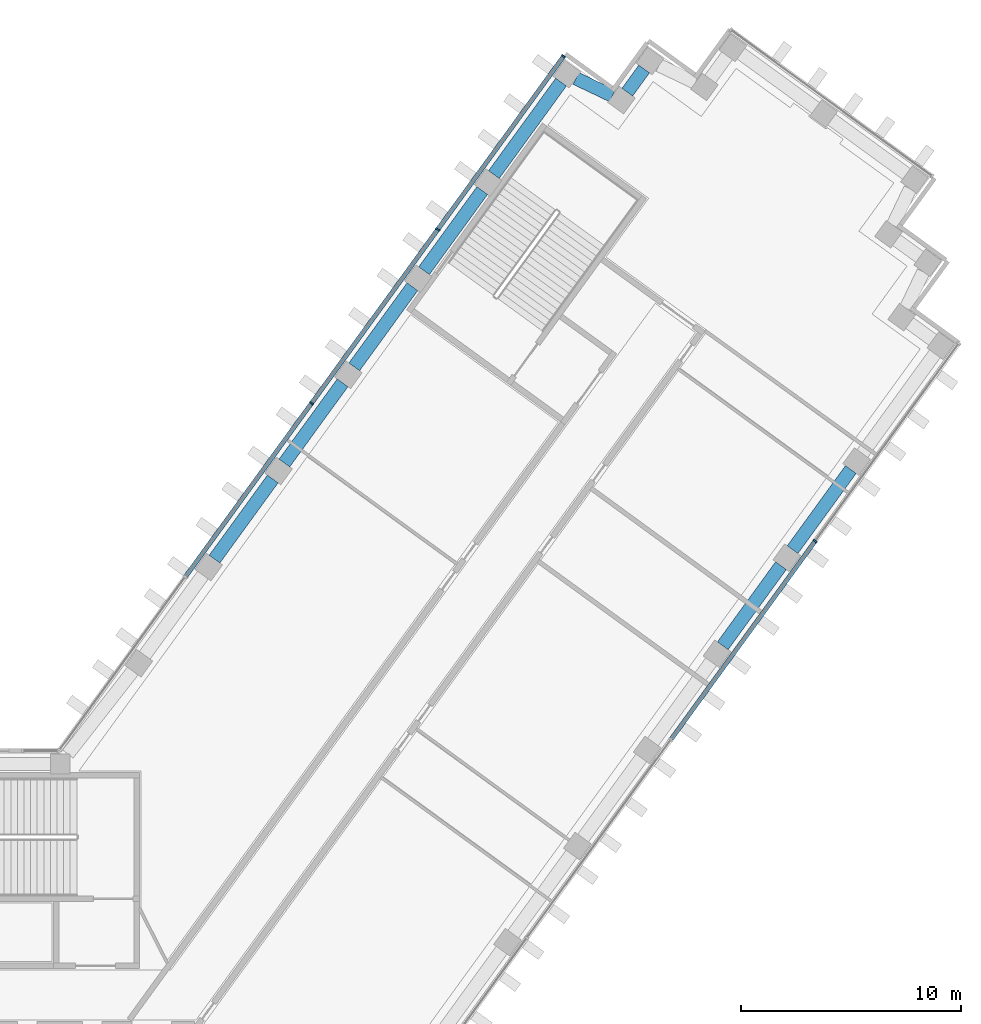
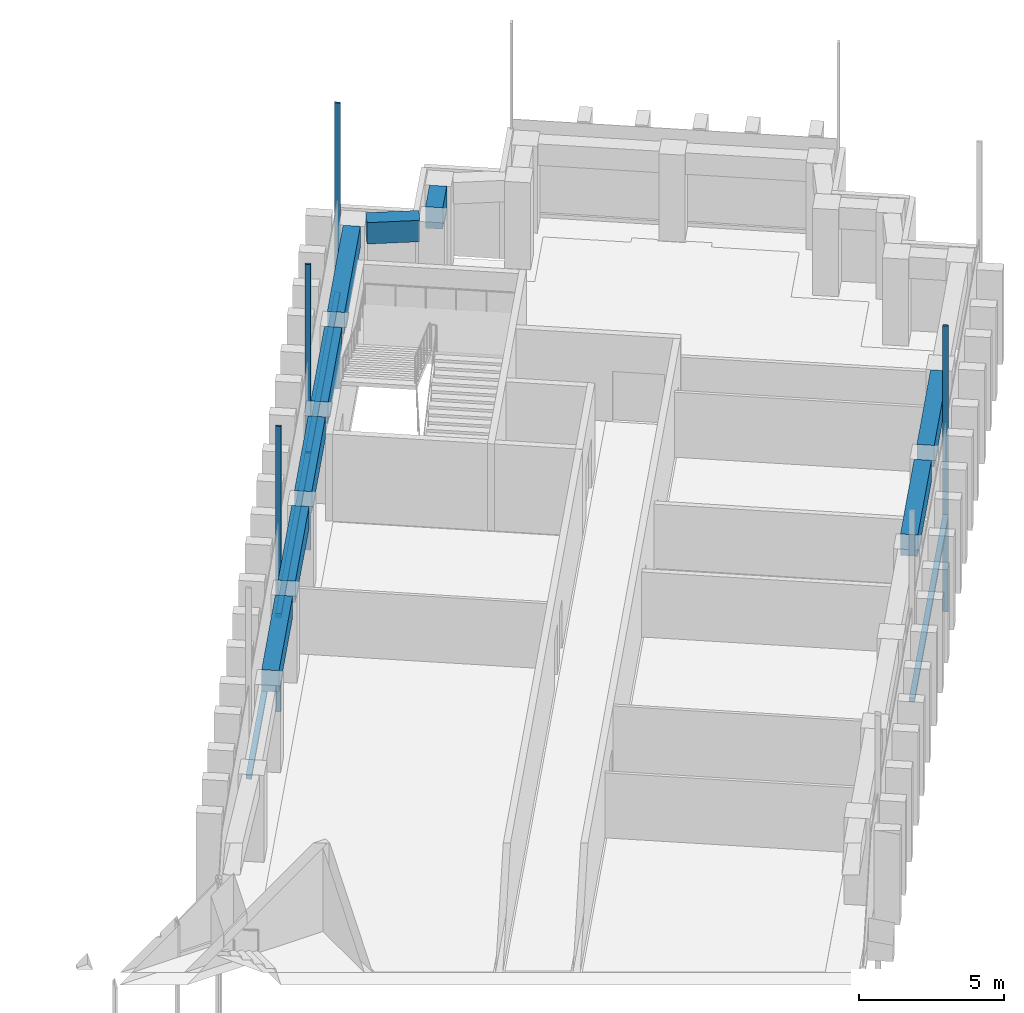
# One storey, part 6 of 19: 9 beams, 8 members, 2 elements without a shape of their own.
"""IFC4 building model written with IfcOpenShell, lengths in metres."""

from ifc_helpers import new_model, si_unit, direction, frame, origin, origin_2d, place, context, subcontext, project, spatial, rectangle, extrude, material, material_profile, profile_set, type_object, element, aggregate, save


model = new_model("IFC4")

# Units and contexts
model_context = context("Model", 3, precision=1e-05, world=origin(), true_north=direction((0.0, 1.0)))
body_context = subcontext(model_context, "Body", "Model", "MODEL_VIEW")
ifc_project = project(units=[si_unit("LENGTHUNIT", "METRE"), si_unit("AREAUNIT", "SQUARE_METRE"), si_unit("VOLUMEUNIT", "CUBIC_METRE"), si_unit("PLANEANGLEUNIT", "RADIAN"), si_unit("MASSUNIT", "GRAM", prefix="KILO")], contexts=[model_context])

# Site, building, storey
site_placement = place(None, origin())
site = spatial("IfcSite", under=ifc_project, at=site_placement, CompositionType="ELEMENT")
building_placement = place(site_placement, origin())
building = spatial("IfcBuilding", under=site, at=building_placement, Name="Quipu Civic Tower", CompositionType="ELEMENT")
storey_placement = place(building_placement, frame((0.0, 0.0, 35.0)))
storey = spatial("IfcBuildingStorey", under=building, at=storey_placement, Name="L07", CompositionType="ELEMENT", Elevation=35.0)

# Curtain wall, member
ifc_material_1 = material(Name="Insulated glass unit", Category="glass")
curtain_wall_type = type_object("IfcCurtainWallType", Name="Office curtain wall CW1", PredefinedType="NOTDEFINED", material=ifc_material_1)
curtain_wall_1_placement = place(storey_placement, origin())
curtain_wall_1 = element("IfcCurtainWall", 1, at=curtain_wall_1_placement, inside=storey, type_object=curtain_wall_type, Name="Office curtain wall CW1 L06 run 16", PredefinedType="NOTDEFINED")
ifc_material_2 = material(Name="Anodised aluminium", Category="aluminium")
ifc_material_profile_1 = material_profile(ifc_material_2, rectangle(XDim=0.199951171875, YDim=0.080078125, at=origin_2d()), Name="RECT 200x80")
ifc_profile_set_1 = profile_set([ifc_material_profile_1], Name="Anodised aluminium")
member_type_1 = type_object("IfcMemberType", Name="Mullion CW1", PredefinedType="MULLION", material=ifc_profile_set_1)
member_1_placement = place(storey_placement, frame((48.70458984375, 20.6240234375, -3.919921875), z_axis=(0.0, 0.0, 1.0), x_axis=(-0.809016770908, 0.587785559869, 0.0)))
member_1 = element("IfcMember", 2, at=member_1_placement, type_object=member_type_1, Name="CW1 mullion 4", PredefinedType="MULLION", context=body_context, shape_type="SweptSolid", body=[
    extrude(rectangle(XDim=0.199951171875, YDim=0.080078125, at=origin_2d()), origin(), (0.0, 0.0, 1.0), 12.0),
])

# Curtain wall, members
curtain_wall_2_placement = place(storey_placement, origin())
curtain_wall_2 = element("IfcCurtainWall", 3, at=curtain_wall_2_placement, inside=storey, type_object=curtain_wall_type, Name="Office curtain wall CW1 L06 run 26", PredefinedType="NOTDEFINED")
member_2_placement = place(storey_placement, frame((37.2705078125, 42.655029296875, -3.919921875), z_axis=(0.0, 0.0, 1.0), x_axis=(0.809016532822, -0.587785887566, 0.0)))
member_2 = element("IfcMember", 4, at=member_2_placement, type_object=member_type_1, Name="CW1 mullion 1", PredefinedType="MULLION", context=body_context, shape_type="SweptSolid", body=[
    extrude(rectangle(XDim=0.199951171875, YDim=0.080078125, at=origin_2d()), origin(), (0.0, 0.0, 1.0), 12.0),
])
member_3_placement = place(storey_placement, frame((31.556396484375, 34.79052734375, -3.919921875), z_axis=(0.0, 0.0, 1.0), x_axis=(0.809016532822, -0.587785887566, 0.0)))
member_3 = element("IfcMember", 5, at=member_3_placement, type_object=member_type_1, Name="CW1 mullion 2", PredefinedType="MULLION", context=body_context, shape_type="SweptSolid", body=[
    extrude(rectangle(XDim=0.199951171875, YDim=0.080078125, at=origin_2d()), origin(), (0.0, 0.0, 1.0), 12.0),
])
member_4_placement = place(storey_placement, frame((25.819091796875, 26.893798828125, -3.919921875), z_axis=(0.0, 0.0, 1.0), x_axis=(0.809016532822, -0.587785887566, 0.0)))
member_4 = element("IfcMember", 6, at=member_4_placement, type_object=member_type_1, Name="CW1 mullion 3", PredefinedType="MULLION", context=body_context, shape_type="SweptSolid", body=[
    extrude(rectangle(XDim=0.199951171875, YDim=0.080078125, at=origin_2d()), origin(), (0.0, 0.0, 1.0), 12.0),
])

# Beams
ifc_material_3 = material(Name="Concrete C50/60", Category="concrete")
ifc_material_profile_2 = material_profile(ifc_material_3, rectangle(XDim=0.60009765625, YDim=0.89990234375, at=origin_2d()), Name="RC600x900")
ifc_profile_set_2 = profile_set([ifc_material_profile_2], Name="Concrete C50/60")
beam_type = type_object("IfcBeamType", Name="Spandrel beam RC 600x900 C50/60", PredefinedType="SPANDREL", material=ifc_profile_set_2)
beam_1_placement = place(storey_placement, frame((44.5087890625, 15.870361328125, 3.199951171875), z_axis=(0.587803872688, 0.809003465539, 0.0), x_axis=(-0.809003465539, 0.587803872688, 0.0)))
element("IfcBeam", 7, at=beam_1_placement, inside=storey, type_object=beam_type, Name="Spandrel beam L07 E-OUT-05 to E-OUT-06", PredefinedType="SPANDREL", context=body_context, shape_type="SweptSolid", body=[
    extrude(rectangle(XDim=0.60009765625, YDim=0.89990234375, at=origin_2d()), origin(), (0.0, 0.0, 1.0), 4.499755859375),
])
beam_2_placement = place(storey_placement, frame((47.682861328125, 20.23876953125, 3.199951171875), z_axis=(0.587778073121, 0.809022210299, 0.0), x_axis=(-0.809022210299, 0.587778073121, 0.0)))
element("IfcBeam", 8, at=beam_2_placement, inside=storey, type_object=beam_type, Name="Spandrel beam L07 E-OUT-06 to E-OUT-07", PredefinedType="SPANDREL", context=body_context, shape_type="SweptSolid", body=[
    extrude(rectangle(XDim=0.60009765625, YDim=0.89990234375, at=origin_2d()), origin(), (0.0, 0.0, 1.0), 4.5),
])
beam_3_placement = place(storey_placement, frame((40.935302734375, 42.0810546875, 3.199951171875), z_axis=(-0.588461937499, -0.808524921146, 0.0), x_axis=(0.808524921146, -0.588461937499, 0.0)))
element("IfcBeam", 9, at=beam_3_placement, inside=storey, type_object=beam_type, Name="Spandrel beam L07 T-Ei.2-E50 to T-Ei.3-E50", PredefinedType="SPANDREL", context=body_context, shape_type="SweptSolid", body=[
    extrude(rectangle(XDim=0.60009765625, YDim=0.89990234375, at=origin_2d()), origin(), (0.0, 0.0, 1.0), 1.30029296875),
])
beam_4_placement = place(storey_placement, frame((39.492431640625, 40.863037109375, 3.199951171875), z_axis=(-0.90245397739, 0.430786279601, 0.0), x_axis=(-0.430786279601, -0.90245397739, 0.0)))
element("IfcBeam", 10, at=beam_4_placement, inside=storey, type_object=beam_type, Name="Spandrel beam L07 T-Ei.3-E50 to T-Ei.4-E50", PredefinedType="SPANDREL", context=body_context, shape_type="SweptSolid", body=[
    extrude(rectangle(XDim=0.60009765625, YDim=0.89990234375, at=origin_2d()), origin(), (0.0, 0.0, 1.0), 1.83349609375),
])
beam_5_placement = place(storey_placement, frame((37.160400390625, 41.48583984375, 3.199951171875), z_axis=(-0.587732861365, -0.80905505602, 0.0), x_axis=(0.80905505602, -0.587732861365, 0.0)))
element("IfcBeam", 11, at=beam_5_placement, inside=storey, type_object=beam_type, Name="Spandrel beam L07 T-Ei.4-E50 to E-IN-06", PredefinedType="SPANDREL", context=body_context, shape_type="SweptSolid", body=[
    extrude(rectangle(XDim=0.60009765625, YDim=0.89990234375, at=origin_2d()), origin(), (0.0, 0.0, 1.0), 5.194580078125),
])
for number, where, z_axis, x_axis, name in (
    (12, (33.578369140625, 36.55517578125, 3.199951171875), (-0.587716763865, -0.809066749701, 0.0), (0.809066749701, -0.587716763865, 0.0), "Spandrel beam L07 E-IN-06 to E-IN-05"),
    (13, (30.404541015625, 32.186279296875, 3.199951171875), (-0.587742561851, -0.809048009076, 0.0), (0.809048009076, -0.587742561851, 0.0), "Spandrel beam L07 E-IN-05 to E-IN-04"),
    (14, (27.230712890625, 27.8173828125, 3.199951171875), (-0.587778073121, -0.809022210299, 0.0), (0.809022210299, -0.587778073121, 0.0), "Spandrel beam L07 E-IN-04 to E-IN-03"),
    (15, (24.056884765625, 23.448486328125, 3.199951171875), (-0.587778073121, -0.809022210299, 0.0), (0.809022210299, -0.587778073121, 0.0), "Spandrel beam L07 E-IN-03 to E-IN-02"),
):
    element("IfcBeam", number, at=place(storey_placement, frame(where, z_axis=z_axis, x_axis=x_axis)), inside=storey, type_object=beam_type, Name=name, PredefinedType="SPANDREL", context=body_context, shape_type="SweptSolid", body=[
        extrude(rectangle(XDim=0.60009765625, YDim=0.89990234375, at=origin_2d()), origin(), (0.0, 0.0, 1.0), 4.5),
    ])

# Member
ifc_material_4 = material(Name="Anodised aluminium", Category="aluminium")
ifc_material_profile_3 = material_profile(ifc_material_4, rectangle(XDim=0.199951171875, YDim=0.159912109375, at=origin_2d()), Name="RECT 200x160")
ifc_profile_set_3 = profile_set([ifc_material_profile_3], Name="Anodised aluminium")
member_type_2 = type_object("IfcMemberType", Name="Transom CW1", PredefinedType="USERDEFINED", material=ifc_profile_set_3)
member_5_placement = place(storey_placement, frame((42.178466796875, 11.6416015625, 0.080078125), z_axis=(0.587795037589, 0.80900988485, 0.0), x_axis=(-0.80900988485, 0.587795037589, 0.0)))
member_5 = element("IfcMember", 16, at=member_5_placement, type_object=member_type_2, Name="CW1 transom 3.2", ObjectType="TRANSOM", PredefinedType="USERDEFINED", context=body_context, shape_type="SweptSolid", body=[
    extrude(rectangle(XDim=0.199951171875, YDim=0.159912109375, at=origin_2d()), origin(), (0.0, 0.0, 1.0), 11.062744140625),
])

aggregate(curtain_wall_1, [member_1, member_5])

member_6_placement = place(storey_placement, frame((37.246826171875, 42.622802734375, 0.080078125), z_axis=(-0.587775627857, -0.809023986849, 0.0), x_axis=(0.809023986849, -0.587775627857, 0.0)))
member_6 = element("IfcMember", 17, at=member_6_placement, type_object=member_type_2, Name="CW1 transom 1.2", ObjectType="TRANSOM", PredefinedType="USERDEFINED", context=body_context, shape_type="SweptSolid", body=[
    extrude(rectangle(XDim=0.199951171875, YDim=0.159912109375, at=origin_2d()), origin(), (0.0, 0.0, 1.0), 9.64111328125),
])

member_7_placement = place(storey_placement, frame((31.532958984375, 34.75830078125, 0.080078125), z_axis=(-0.58778177227, -0.809019522748, 0.0), x_axis=(0.809019522748, -0.58778177227, 0.0)))
member_7 = element("IfcMember", 18, at=member_7_placement, type_object=member_type_2, Name="CW1 transom 2.2", ObjectType="TRANSOM", PredefinedType="USERDEFINED", context=body_context, shape_type="SweptSolid", body=[
    extrude(rectangle(XDim=0.199951171875, YDim=0.159912109375, at=origin_2d()), origin(), (0.0, 0.0, 1.0), 9.68115234375),
])

member_8_placement = place(storey_placement, frame((25.795654296875, 26.861328125, 0.080078125), z_axis=(-0.587793764301, -0.80901080997, 0.0), x_axis=(0.80901080997, -0.587793764301, 0.0)))
member_8 = element("IfcMember", 19, at=member_8_placement, type_object=member_type_2, Name="CW1 transom 3.2", ObjectType="TRANSOM", PredefinedType="USERDEFINED", context=body_context, shape_type="SweptSolid", body=[
    extrude(rectangle(XDim=0.199951171875, YDim=0.159912109375, at=origin_2d()), origin(), (0.0, 0.0, 1.0), 9.680908203125),
])

aggregate(curtain_wall_2, [member_2, member_3, member_4, member_6, member_7, member_8])

save(model, "model.ifc")
